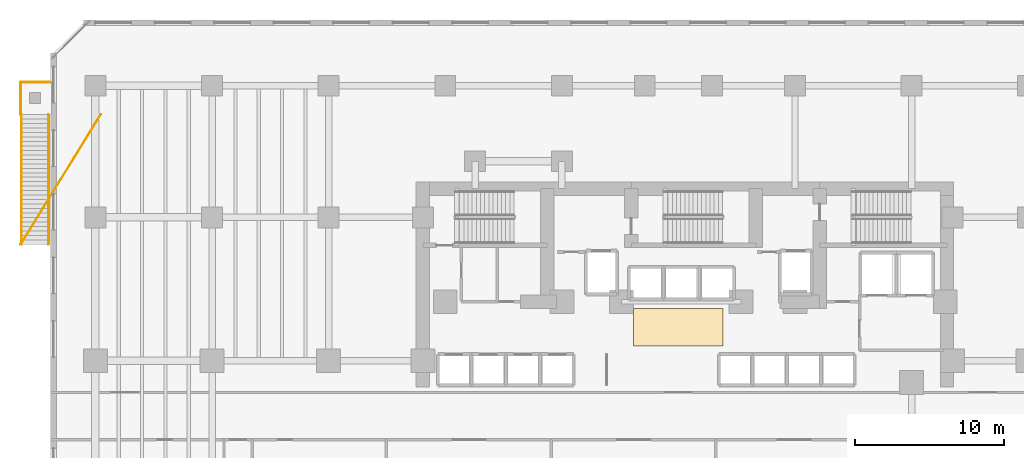
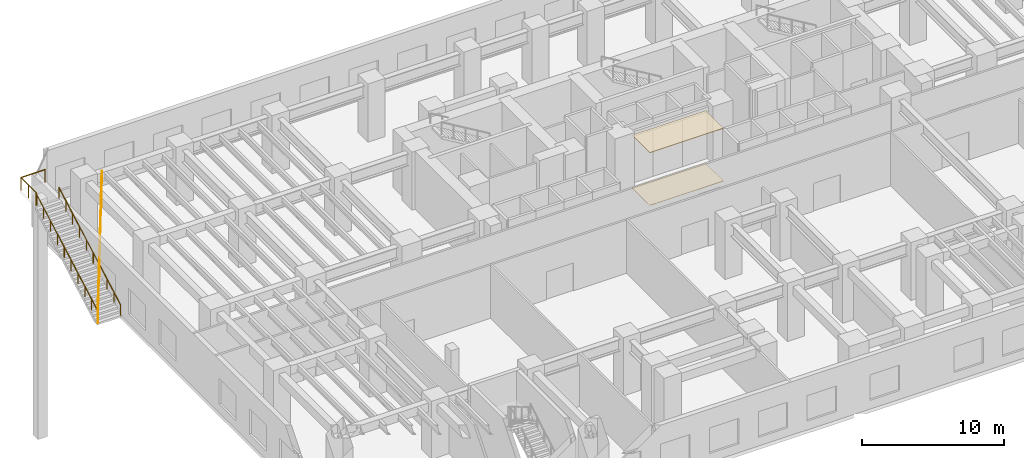
# One storey, part 19 of 20: 5 railings, 2 coverings.
"""IFC4 building model written with IfcOpenShell, lengths in metres."""

from ifc_helpers import new_model, si_unit, direction, frame, origin, origin_2d, place, context, subcontext, project, spatial, polyline, circle, outline, extrude, material, layer, layer_set, type_object, element, save


model = new_model("IFC4")

# Units and contexts
model_context = context("Model", 3, precision=1e-05, world=origin(), true_north=direction((0.0, 1.0)))
body_context = subcontext(model_context, "Body", "Model", "MODEL_VIEW")
ifc_project = project(units=[si_unit("LENGTHUNIT", "METRE"), si_unit("AREAUNIT", "SQUARE_METRE"), si_unit("VOLUMEUNIT", "CUBIC_METRE"), si_unit("PLANEANGLEUNIT", "RADIAN"), si_unit("MASSUNIT", "GRAM", prefix="KILO")], contexts=[model_context])

# Site, building, storey
site_placement = place(None, origin())
site = spatial("IfcSite", under=ifc_project, at=site_placement, CompositionType="ELEMENT")
building_placement = place(site_placement, origin())
building = spatial("IfcBuilding", under=site, at=building_placement, Name="Kestravale Grand Hotel", CompositionType="ELEMENT")
storey_placement = place(building_placement, frame((0.0, 0.0, 15.800048828125)))
storey = spatial("IfcBuildingStorey", under=building, at=storey_placement, Name="L03", CompositionType="ELEMENT", Elevation=15.800048828125)

# Coverings
ifc_material_1 = material(Name="Perforated gypsum and mineral-fibre acoustic ceiling", Category="other")
ifc_layer_1 = layer(ifc_material_1, 0.044921875)
ifc_layer_set_1 = layer_set([ifc_layer_1], Name="COV-INT-CEIL")
covering_type_1 = type_object("IfcCoveringType", Name="COV-INT-CEIL", PredefinedType="CEILING", material=ifc_layer_set_1)
covering_1_placement = place(storey_placement, frame((0.0, 0.0, 4.534912109375)))
element("IfcCovering", 1, at=covering_1_placement, inside=storey, type_object=covering_type_1, Name="L03 elevator lobby acoustic coffered ceiling", PredefinedType="CEILING", context=body_context, shape_type="SweptSolid", body=[
    extrude(outline(polyline([(36.0, 29.800048828125), (42.0, 29.800048828125), (42.0, 32.300048828125), (36.0, 32.300048828125), (36.0, 29.800048828125)])), origin(), (0.0, 0.0, 1.0), 0.044921875),
])
ifc_material_2 = material(Name="Polished Art Deco brass-inlaid terrazzo flooring", Category="masonry")
ifc_layer_2 = layer(ifc_material_2, 0.034912109375)
ifc_layer_set_2 = layer_set([ifc_layer_2], Name="COV-INT-TERZ")
covering_type_2 = type_object("IfcCoveringType", Name="COV-INT-TERZ", PredefinedType="FLOORING", material=ifc_layer_set_2)
covering_2_placement = place(storey_placement, origin())
element("IfcCovering", 2, at=covering_2_placement, inside=storey, type_object=covering_type_2, Name="L03 elevator lobby brass-inlaid terrazzo floor", PredefinedType="FLOORING", context=body_context, shape_type="SweptSolid", body=[
    extrude(outline(polyline([(36.0, 29.800048828125), (42.0, 29.800048828125), (42.0, 32.300048828125), (36.0, 32.300048828125), (36.0, 29.800048828125)])), origin(), (0.0, 0.0, 1.0), 0.034912109375),
])

# Railings
ifc_material_3 = material(Name="Champagne-bronze stainless steel and laminated glass guard", Category="steel")
railing_type_1 = type_object("IfcRailingType", Name="RL-EXT-1100", PredefinedType="GUARDRAIL", material=ifc_material_3)
railing_1_placement = place(storey_placement, frame((-5.0, 36.580078125, 0.166748046875)))
element("IfcRailing", 3, at=railing_1_placement, inside=storey, type_object=railing_type_1, Name="L03 garden stair flight guard", PredefinedType="GUARDRAIL", context=body_context, shape_type="SweptSolid", body=[
    extrude(circle(Radius=0.02392578125, at=origin_2d()), frame((0.0, 0.0, 1.09619140625), z_axis=(0.473491453105, 0.769958379638, 0.427749853843), x_axis=(-0.85182078226, 0.523833327415, 0.0)), (0.0, 0.0, 1.0), 11.29931640625),
    extrude(circle(Radius=0.02099609375, at=origin_2d()), origin(), (0.0, 0.0, 1.0), 1.072021484375),
    extrude(circle(Radius=0.02099609375, at=origin_2d()), frame((0.8916015625, 1.449951171875, 0.8056640625)), (0.0, 0.0, 1.0), 1.072021484375),
    extrude(circle(Radius=0.02099609375, at=origin_2d()), frame((1.783447265625, 2.89990234375, 1.611083984375)), (0.0, 0.0, 1.0), 1.072021484375),
    extrude(circle(Radius=0.02099609375, at=origin_2d()), frame((2.675048828125, 4.35009765625, 2.41650390625)), (0.0, 0.0, 1.0), 1.072021484375),
    extrude(circle(Radius=0.02099609375, at=origin_2d()), frame((3.566650390625, 5.800048828125, 3.22216796875)), (0.0, 0.0, 1.0), 1.072021484375),
    extrude(circle(Radius=0.02099609375, at=origin_2d()), frame((4.45849609375, 7.25, 4.02783203125)), (0.0, 0.0, 1.0), 1.072021484375),
    extrude(circle(Radius=0.02099609375, at=origin_2d()), frame((5.35009765625, 8.699951171875, 4.833251953125)), (0.0, 0.0, 1.0), 1.072021484375),
])
railing_2_placement = place(storey_placement, frame((-5.0, 45.280029296875, 5.0)))
element("IfcRailing", 4, at=railing_2_placement, inside=storey, type_object=railing_type_1, Name="L03 garden stair landing guard", PredefinedType="GUARDRAIL", context=body_context, shape_type="SweptSolid", body=[
    extrude(circle(Radius=0.02392578125, at=origin_2d()), frame((0.0, 0.0, 1.09619140625), z_axis=(0.0, 1.0, 0.0), x_axis=(-1.0, 0.0, 0.0)), (0.0, 0.0, 1.0), 2.14990234375),
    extrude(circle(Radius=0.02099609375, at=origin_2d()), origin(), (0.0, 0.0, 1.0), 1.072021484375),
    extrude(circle(Radius=0.02099609375, at=origin_2d()), frame((0.0, 1.074951171875, 0.0)), (0.0, 0.0, 1.0), 1.072021484375),
    extrude(circle(Radius=0.02099609375, at=origin_2d()), frame((0.0, 2.14990234375, 0.0)), (0.0, 0.0, 1.0), 1.072021484375),
])
railing_3_placement = place(storey_placement, frame((-5.0, 47.429931640625, 5.0)))
element("IfcRailing", 5, at=railing_3_placement, inside=storey, type_object=railing_type_1, Name="L03 garden stair north guard", PredefinedType="GUARDRAIL", context=body_context, shape_type="SweptSolid", body=[
    extrude(circle(Radius=0.02392578125, at=origin_2d()), frame((0.0, 0.0, 1.09619140625), z_axis=(1.0, 0.0, 0.0), x_axis=(0.0, 1.0, 0.0)), (0.0, 0.0, 1.0), 1.949951171875),
    extrude(circle(Radius=0.02099609375, at=origin_2d()), origin(), (0.0, 0.0, 1.0), 1.072021484375),
    extrude(circle(Radius=0.02099609375, at=origin_2d()), frame((1.949951171875, 0.0, 0.0)), (0.0, 0.0, 1.0), 1.072021484375),
])
ifc_material_4 = material(Name="Brushed bronze stainless steel handrail", Category="steel")
railing_type_2 = type_object("IfcRailingType", Name="RL-EXT-915", PredefinedType="HANDRAIL", material=ifc_material_4)
for number, where, name in (
    (6, (-4.949951171875, 36.580078125, 0.166748046875), "L03 garden stair handrail W"),
    (7, (-3.14990234375, 36.580078125, 0.166748046875), "L03 garden stair handrail E"),
):
    element("IfcRailing", number, at=place(storey_placement, frame(where)), inside=storey, type_object=railing_type_2, Name=name, PredefinedType="HANDRAIL", context=body_context, shape_type="SweptSolid", body=[
        extrude(circle(Radius=0.02392578125, at=origin_2d()), frame((0.0, 0.0, 0.89111328125), z_axis=(0.0, 0.87415959035, 0.485638765544), x_axis=(-1.0, 0.0, 0.0)), (0.0, 0.0, 1.0), 9.952392578125),
        extrude(circle(Radius=0.02099609375, at=origin_2d()), origin(), (0.0, 0.0, 1.0), 0.866943359375),
        extrude(circle(Radius=0.02099609375, at=origin_2d()), frame((0.0, 0.966552734375, 0.537109375)), (0.0, 0.0, 1.0), 0.866943359375),
        extrude(circle(Radius=0.02099609375, at=origin_2d()), frame((0.0, 1.933349609375, 1.073974609375)), (0.0, 0.0, 1.0), 0.866943359375),
        extrude(circle(Radius=0.02099609375, at=origin_2d()), frame((0.0, 2.89990234375, 1.611083984375)), (0.0, 0.0, 1.0), 0.866943359375),
        extrude(circle(Radius=0.02099609375, at=origin_2d()), frame((0.0, 3.86669921875, 2.148193359375)), (0.0, 0.0, 1.0), 0.866943359375),
        extrude(circle(Radius=0.02099609375, at=origin_2d()), frame((0.0, 4.833251953125, 2.68505859375)), (0.0, 0.0, 1.0), 0.866943359375),
        extrude(circle(Radius=0.02099609375, at=origin_2d()), frame((0.0, 5.800048828125, 3.22216796875)), (0.0, 0.0, 1.0), 0.866943359375),
        extrude(circle(Radius=0.02099609375, at=origin_2d()), frame((0.0, 6.7666015625, 3.75927734375)), (0.0, 0.0, 1.0), 0.866943359375),
        extrude(circle(Radius=0.02099609375, at=origin_2d()), frame((0.0, 7.7333984375, 4.296142578125)), (0.0, 0.0, 1.0), 0.866943359375),
        extrude(circle(Radius=0.02099609375, at=origin_2d()), frame((0.0, 8.699951171875, 4.833251953125)), (0.0, 0.0, 1.0), 0.866943359375),
    ])

save(model, "model.ifc")
